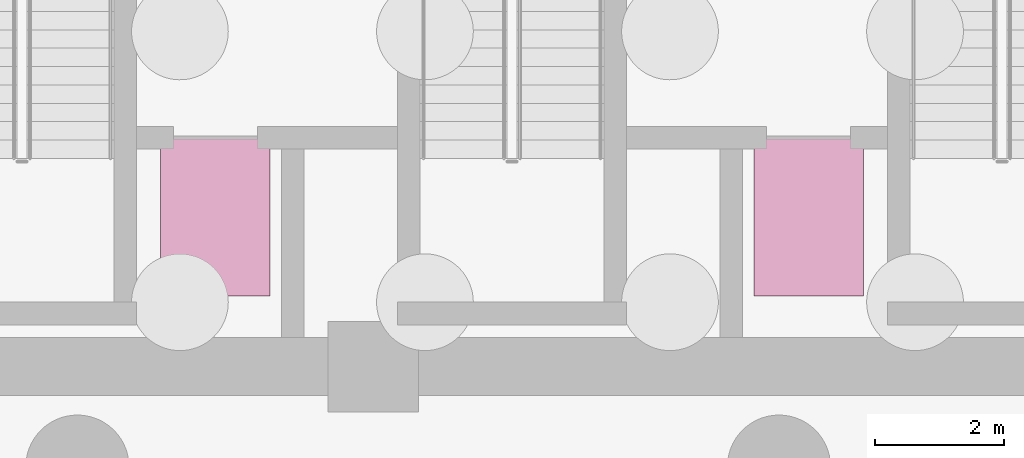
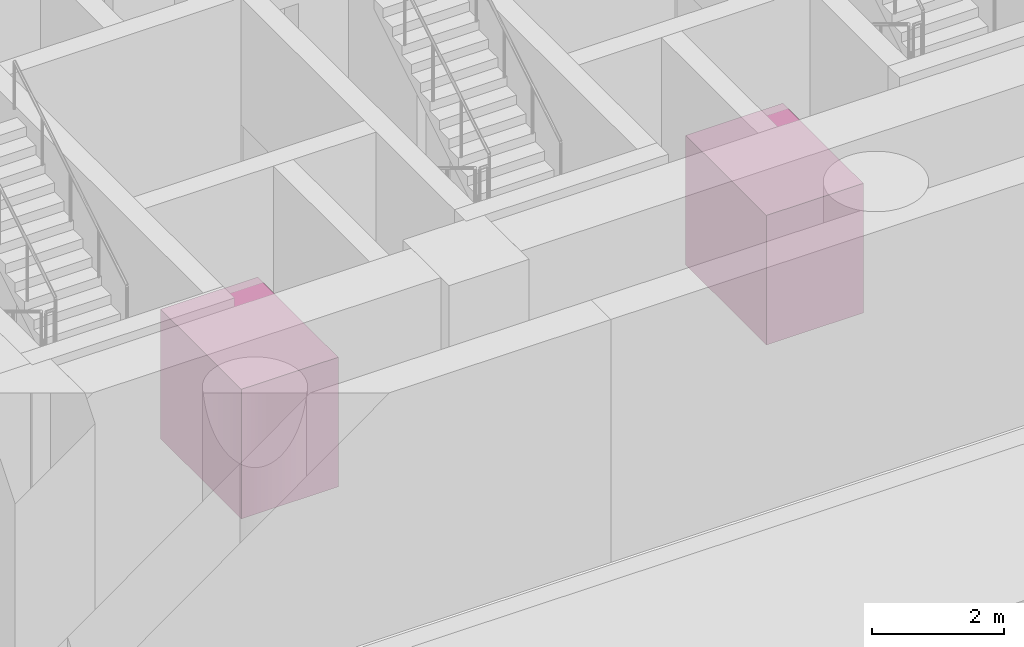
# One storey, part 5 of 5: 2 transport elements.
"""IFC4 building model written with IfcOpenShell, lengths in metres."""

import ifcopenshell
import ifcopenshell.guid

model = None  # the IFC model being written
_history = None  # IfcOwnerHistory: only IFC2X3 demands one
_inside = {}  # id of a spatial element -> (the spatial element, [elements in it])
_under = {}  # id of a project, library or spatial element -> (it, [spatial elements below it])
_declared = {}  # id of a project -> (the project, [libraries it declares])
_typed = {}  # id of a type object -> (the type object, [elements of that type])
_made_of = {}  # id of a material, layer set ... -> (it, [elements and type objects made of it])


def new_model(schema):
    """Start an empty IFC model of exactly this schema.

    Asked for "IFC4X3", IfcOpenShell would pick the latest addendum, in which some entities
    have other attributes; the version numbers below select the first issue.
    IFC2X3 requires an IfcOwnerHistory on every rooted entity: one is made here for all.
    """
    global model, _history
    if schema == "IFC4X3":
        model = ifcopenshell.file(schema_version=(4, 3, 0, 0))
    else:
        model = ifcopenshell.file(schema=schema)
    _inside.clear()
    _under.clear()
    _declared.clear()
    _typed.clear()
    _made_of.clear()
    _history = None
    if model.schema == "IFC2X3":
        org = make("IfcOrganization", Name="unknown")
        user = make(
            "IfcPersonAndOrganization",
            ThePerson=make("IfcPerson", FamilyName="unknown"),
            TheOrganization=org,
        )
        app = make(
            "IfcApplication",
            ApplicationDeveloper=org,
            Version="unknown",
            ApplicationFullName="unknown",
            ApplicationIdentifier="unknown",
        )
        _history = make(
            "IfcOwnerHistory",
            OwningUser=user,
            OwningApplication=app,
            ChangeAction="ADDED",
            CreationDate=0,
        )
    return model


def make(cls, **values):
    """One entity of the class cls with the attributes given. An attribute that is None is left unset."""
    return model.create_entity(
        cls, **{name: value for name, value in values.items() if value is not None}
    )


def rooted(cls, **values):
    """An entity with a GlobalId (a new one), such as an element, a storey or a relation."""
    return make(cls, GlobalId=ifcopenshell.guid.new(), OwnerHistory=_history, **values)


def si_unit(unit_type, name, prefix=None):
    """IfcSIUnit, for example si_unit("LENGTHUNIT", "METRE", prefix="MILLI")."""
    return make("IfcSIUnit", UnitType=unit_type, Prefix=prefix, Name=name)


def assignment(units):
    """IfcUnitAssignment: the units of a project."""
    return None if units is None else make("IfcUnitAssignment", Units=units)


def point(xyz):
    """IfcCartesianPoint."""
    return None if xyz is None else make("IfcCartesianPoint", Coordinates=xyz)


def direction(xyz):
    """IfcDirection."""
    return None if xyz is None else make("IfcDirection", DirectionRatios=xyz)


def frame(location, z_axis=None, x_axis=None):
    """IfcAxis2Placement3D, a coordinate frame: its origin and axes. An axis left out is left unset."""
    return make(
        "IfcAxis2Placement3D",
        Location=point(location),
        Axis=direction(z_axis),
        RefDirection=direction(x_axis),
    )


def frame_2d(location, x_axis=None):
    """IfcAxis2Placement2D, a coordinate frame in the plane: its origin and x axis."""
    return make(
        "IfcAxis2Placement2D", Location=point(location), RefDirection=direction(x_axis)
    )


def origin():
    """The frame at (0, 0, 0) with its axes left unset."""
    return frame((0.0, 0.0, 0.0))


def origin_2d():
    """The frame at (0, 0) in the plane with its x axis left unset."""
    return frame_2d((0.0, 0.0))


def place(relative_to, where):
    """IfcLocalPlacement: puts the frame where relative to a parent placement (None: the world)."""
    return make(
        "IfcLocalPlacement", PlacementRelTo=relative_to, RelativePlacement=where
    )


def context(
    kind, dimensions, precision=None, world=None, true_north=None, identifier=None
):
    """IfcGeometricRepresentationContext, for example the 3D "Model" context."""
    return make(
        "IfcGeometricRepresentationContext",
        ContextIdentifier=identifier,
        ContextType=kind,
        CoordinateSpaceDimension=dimensions,
        Precision=precision,
        WorldCoordinateSystem=world,
        TrueNorth=true_north,
    )


def subcontext(parent, identifier, kind, view, scale=None):
    """IfcGeometricRepresentationSubContext, for example "Body" below "Model"."""
    return make(
        "IfcGeometricRepresentationSubContext",
        ContextIdentifier=identifier,
        ContextType=kind,
        ParentContext=parent,
        TargetScale=scale,
        TargetView=view,
    )


def project(units=None, contexts=None):
    """IfcProject with its units and contexts."""
    return rooted(
        "IfcProject",
        Name="project",
        RepresentationContexts=contexts,
        UnitsInContext=assignment(units),
    )


def spatial(cls, under=None, at=None, **own):
    """A site, building, storey or space (cls), placed at a placement, below another one or the project."""
    s = rooted(cls, ObjectPlacement=at, **own)
    if under is not None:
        _under.setdefault(under.id(), (under, []))[1].append(s)
    return s


def profile(cls, at=None, kind="AREA", **sizes):
    """A parametric profile (cls). Its sizes go by their IFC names, for example OverallWidth=200.0."""
    return make(cls, ProfileType=kind, Position=at, **sizes)


def rectangle(**sizes):
    """IfcRectangleProfileDef."""
    return profile("IfcRectangleProfileDef", **sizes)


def extrude(swept, where, along, depth):
    """IfcExtrudedAreaSolid: the profile swept, set in the frame where, extruded along a direction by depth."""
    return make(
        "IfcExtrudedAreaSolid",
        SweptArea=swept,
        Position=where,
        ExtrudedDirection=direction(along),
        Depth=depth,
    )


def shape(context_of_items, identifier, shape_type, items):
    """IfcShapeRepresentation: the items that make up one representation, for example the "Body"."""
    return make(
        "IfcShapeRepresentation",
        ContextOfItems=context_of_items,
        RepresentationIdentifier=identifier,
        RepresentationType=shape_type,
        Items=items,
    )


def material(Name=None, Category=None):
    """IfcMaterial."""
    return make("IfcMaterial", Name=Name, Category=Category)


def made_of(thing, what):
    """Note that an element or type object is made of a material, layer set ...; save() writes the relation."""
    if what is not None:
        _made_of.setdefault(what.id(), (what, []))[1].append(thing)
    return thing


def type_object(cls, material=None, **own):
    """A type object (cls), such as IfcWallType, which elements share."""
    return made_of(rooted(cls, **own), material)


def element(
    cls,
    number,
    at=None,
    inside=None,
    cuts=None,
    type_object=None,
    material=None,
    context=None,
    identifier="Body",
    shape_type=None,
    held_by="IfcProductDefinitionShape",
    body=None,
    shapes=None,
    **own,
):
    """One element of the class cls, such as IfcWall. Its Tag is "e" and its number.

    at: its placement. inside: the storey or other place that contains it. cuts: it is an
    opening in that element (IfcRelVoidsElement). A single representation is given by context,
    identifier, shape_type and body (its items); several are given by shapes. held_by: the class
    of the entity that holds the representations. save() writes the other relations.
    """
    e = rooted(cls, Tag="e%d" % number, ObjectPlacement=at, **own)
    if body is not None:
        shapes = [shape(context, identifier, shape_type, body)]
    if shapes is not None:
        e.Representation = make(held_by, Representations=shapes)
    if inside is not None:
        _inside.setdefault(inside.id(), (inside, []))[1].append(e)
    if cuts is not None:
        rooted(
            "IfcRelVoidsElement", RelatingBuildingElement=cuts, RelatedOpeningElement=e
        )
    if type_object is not None:
        _typed.setdefault(type_object.id(), (type_object, []))[1].append(e)
    return made_of(e, material)


def aggregate(whole, parts):
    """IfcRelAggregates: a whole, such as a stair, and the parts it consists of."""
    return rooted("IfcRelAggregates", RelatingObject=whole, RelatedObjects=parts)


def save(model, path):
    """Write the relations noted so far, then the file.

    IfcRelAggregates (storeys below a building ...), IfcRelContainedInSpatialStructure (elements
    in a storey), IfcRelDefinesByType, IfcRelAssociatesMaterial and IfcRelDeclares: one each for
    every whole, place, type object, material and project.
    """
    for whole, parts in _under.values():
        aggregate(whole, parts)
    for where, things in _inside.values():
        rooted(
            "IfcRelContainedInSpatialStructure",
            RelatedElements=things,
            RelatingStructure=where,
        )
    for kind, things in _typed.values():
        rooted("IfcRelDefinesByType", RelatedObjects=things, RelatingType=kind)
    for what, things in _made_of.values():
        rooted("IfcRelAssociatesMaterial", RelatedObjects=things, RelatingMaterial=what)
    for by, libraries in _declared.values():
        rooted("IfcRelDeclares", RelatingContext=by, RelatedDefinitions=libraries)
    model.write(path)


model = new_model("IFC4")

# Units and contexts
model_context = context("Model", 3, precision=1e-05, world=origin(), true_north=direction((0.0, 1.0)))
body_context = subcontext(model_context, "Body", "Model", "MODEL_VIEW")
ifc_project = project(units=[si_unit("LENGTHUNIT", "METRE"), si_unit("AREAUNIT", "SQUARE_METRE"), si_unit("VOLUMEUNIT", "CUBIC_METRE"), si_unit("PLANEANGLEUNIT", "RADIAN"), si_unit("MASSUNIT", "GRAM", prefix="KILO")], contexts=[model_context])

# Site, building, storey
site_placement = place(None, origin())
site = spatial("IfcSite", under=ifc_project, at=site_placement, CompositionType="ELEMENT")
building_placement = place(site_placement, origin())
building = spatial("IfcBuilding", under=site, at=building_placement, Name="Almagre Mirador Tower", CompositionType="ELEMENT")
storey_placement = place(building_placement, frame((0.0, 0.0, -9.0)))
storey = spatial("IfcBuildingStorey", under=building, at=storey_placement, Name="B02", CompositionType="ELEMENT", Elevation=-9.0)

# Transport elements
ifc_material = material(Name="Brushed stainless steel cab", Category="steel")
transport_element_type = type_object("IfcTransportElementType", Name="LFT-FSAE-2000", PredefinedType="ELEVATOR", material=ifc_material)
for number, where, z_axis, x_axis, name in (
    (1, (32.699951171875, 6.875, 0.0), (0.0, 0.0, 1.0), (1.0, 0.0, 0.0), "Fire service access elevator FSAE-1 car"),
    (2, (41.89990234375, 6.875, 0.0), (0.0, 0.0, 1.0), (1.0, 0.0, 0.0), "Fire service access elevator FSAE-2 car"),
):
    element("IfcTransportElement", number, at=place(storey_placement, frame(where, z_axis=z_axis, x_axis=x_axis)), inside=storey, type_object=transport_element_type, Name=name, PredefinedType="ELEVATOR", context=body_context, shape_type="SweptSolid", body=[
        extrude(rectangle(XDim=1.699951171875, YDim=2.449951171875, at=origin_2d()), origin(), (0.0, 0.0, 1.0), 2.39990234375),
    ])

save(model, "model.ifc")
